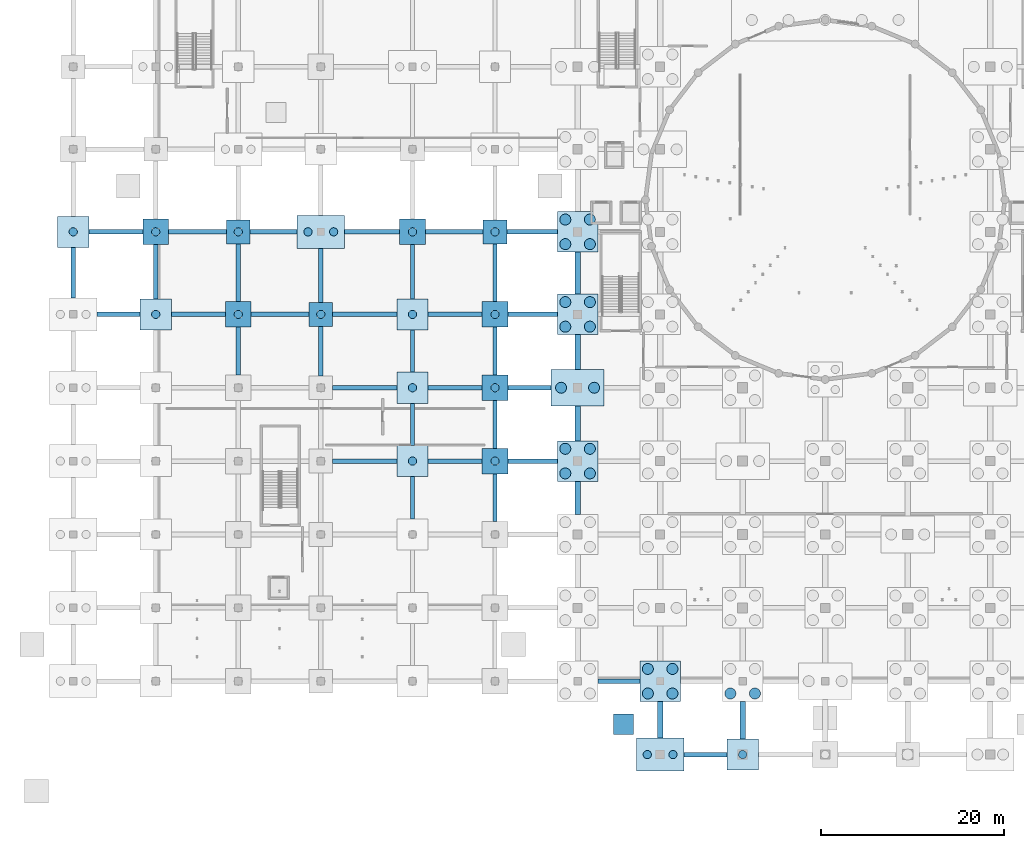
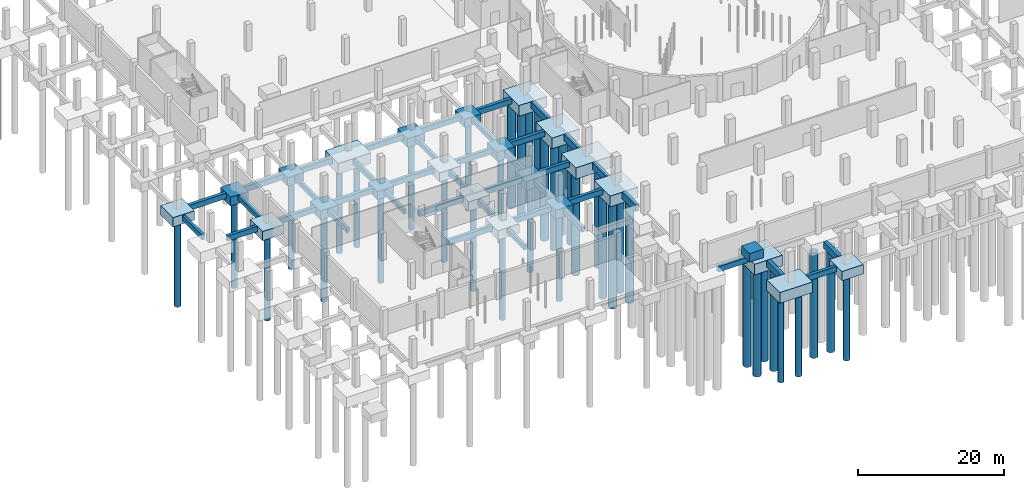
# One storey, part 2 of 40: 63 footings, 39 piles.
"""IFC4 building model written with IfcOpenShell, lengths in metres."""

from ifc_helpers import new_model, si_unit, direction, frame, origin, origin_2d, place, context, subcontext, project, spatial, rectangle, circle, extrude, material, layer, layer_set, material_profile, profile_set, type_object, element, save


model = new_model("IFC4")

# Units and contexts
model_context = context("Model", 3, precision=1e-05, world=origin(), true_north=direction((0.0, 1.0)))
body_context = subcontext(model_context, "Body", "Model", "MODEL_VIEW")
ifc_project = project(units=[si_unit("LENGTHUNIT", "METRE"), si_unit("AREAUNIT", "SQUARE_METRE"), si_unit("VOLUMEUNIT", "CUBIC_METRE"), si_unit("PLANEANGLEUNIT", "RADIAN"), si_unit("MASSUNIT", "GRAM", prefix="KILO")], contexts=[model_context])

# Site, building, storey
site_placement = place(None, origin())
site = spatial("IfcSite", under=ifc_project, at=site_placement, CompositionType="ELEMENT")
building_placement = place(site_placement, origin())
building = spatial("IfcBuilding", under=site, at=building_placement, Name="Marnock Terrace Opera House", CompositionType="ELEMENT")
storey_placement = place(building_placement, frame((0.0, 0.0, -4.800048828125)))
storey = spatial("IfcBuildingStorey", under=building, at=storey_placement, Name="B1", CompositionType="ELEMENT", Elevation=-4.800048828125)

# Footings
ifc_material = material(Name="Concrete N40 (f'c = 40 MPa)", Category="concrete")
ifc_layer_1 = layer(ifc_material, 1.39990234375)
ifc_layer_set_1 = layer_set([ifc_layer_1], Name="Concrete N40 (f'c = 40 MPa)")
footing_type_1 = type_object("IfcFootingType", Name="FT-CAP-2600", PredefinedType="PILE_CAP", material=ifc_layer_set_1)
for number, where, z_axis, x_axis, name in (
    (1, (18.0, 57.0, -1.7998046875), (0.0, 0.0, 1.0), (1.0, 0.0, 0.0), "Pile cap FT-CAP-033"),
    (2, (27.0, 48.0, -1.7998046875), (0.0, 0.0, 1.0), (1.0, 0.0, 0.0), "Pile cap FT-CAP-045"),
    (3, (46.0, 57.0, -1.7998046875), (0.0, 0.0, 1.0), (1.0, 0.0, 0.0), "Pile cap FT-CAP-070"),
):
    element("IfcFooting", number, at=place(storey_placement, frame(where, z_axis=z_axis, x_axis=x_axis)), inside=storey, type_object=footing_type_1, Name=name, PredefinedType="PILE_CAP", context=body_context, shape_type="SweptSolid", body=[
        extrude(rectangle(XDim=2.60009765625, YDim=2.60009765625, at=origin_2d()), origin(), (0.0, 0.0, 1.0), 1.39990234375),
    ])
ifc_layer_2 = layer(ifc_material, 1.5)
ifc_layer_set_2 = layer_set([ifc_layer_2], Name="Concrete N40 (f'c = 40 MPa)")
footing_type_2 = type_object("IfcFootingType", Name="FT-CAP-2800", PredefinedType="PILE_CAP", material=ifc_layer_set_2)
for number, where, z_axis, x_axis, name in (
    (4, (9.0, 57.0, -1.89990234375), (0.0, 0.0, 1.0), (1.0, 0.0, 0.0), "Pile cap FT-CAP-020"),
    (5, (18.0, 48.0, -1.89990234375), (0.0, 0.0, 1.0), (1.0, 0.0, 0.0), "Pile cap FT-CAP-032"),
    (6, (37.0, 57.0, -1.89990234375), (0.0, 0.0, 1.0), (1.0, 0.0, 0.0), "Pile cap FT-CAP-058"),
    (7, (46.0, 32.0, -1.89990234375), (0.0, 0.0, 1.0), (1.0, 0.0, 0.0), "Pile cap FT-CAP-067"),
    (8, (46.0, 40.0, -1.89990234375), (0.0, 0.0, 1.0), (1.0, 0.0, 0.0), "Pile cap FT-CAP-068"),
    (9, (46.0, 48.0, -1.89990234375), (0.0, 0.0, 1.0), (1.0, 0.0, 0.0), "Pile cap FT-CAP-069"),
):
    element("IfcFooting", number, at=place(storey_placement, frame(where, z_axis=z_axis, x_axis=x_axis)), inside=storey, type_object=footing_type_2, Name=name, PredefinedType="PILE_CAP", context=body_context, shape_type="SweptSolid", body=[
        extrude(rectangle(XDim=2.800048828125, YDim=2.800048828125, at=origin_2d()), origin(), (0.0, 0.0, 1.0), 1.5),
    ])
ifc_layer_3 = layer(ifc_material, 1.550048828125)
ifc_layer_set_3 = layer_set([ifc_layer_3], Name="Concrete N40 (f'c = 40 MPa)")
footing_type_3 = type_object("IfcFootingType", Name="FT-CAP-3400", PredefinedType="PILE_CAP", material=ifc_layer_set_3)
for number, where, z_axis, x_axis, name in (
    (10, (0.0, 57.0, -1.9501953125), (0.0, 0.0, 1.0), (1.0, 0.0, 0.0), "Pile cap FT-CAP-007"),
    (11, (9.0, 48.0, -1.9501953125), (0.0, 0.0, 1.0), (1.0, 0.0, 0.0), "Pile cap FT-CAP-019"),
    (12, (37.0, 32.0, -1.9501953125), (0.0, 0.0, 1.0), (1.0, 0.0, 0.0), "Pile cap FT-CAP-055"),
    (13, (37.0, 40.0, -1.9501953125), (0.0, 0.0, 1.0), (1.0, 0.0, 0.0), "Pile cap FT-CAP-056"),
    (14, (37.0, 48.0, -1.9501953125), (0.0, 0.0, 1.0), (1.0, 0.0, 0.0), "Pile cap FT-CAP-057"),
    (15, (73.0, 0.0, -1.9501953125), (0.0, 0.0, 1.0), (1.0, 0.0, 0.0), "Pile cap FT-CAP-103"),
):
    element("IfcFooting", number, at=place(storey_placement, frame(where, z_axis=z_axis, x_axis=x_axis)), inside=storey, type_object=footing_type_3, Name=name, PredefinedType="PILE_CAP", context=body_context, shape_type="SweptSolid", body=[
        extrude(rectangle(XDim=3.39990234375, YDim=3.39990234375, at=origin_2d()), origin(), (0.0, 0.0, 1.0), 1.550048828125),
    ])
ifc_layer_4 = layer(ifc_material, 1.800048828125)
ifc_layer_set_4 = layer_set([ifc_layer_4], Name="Concrete N40 (f'c = 40 MPa)")
footing_type_4 = type_object("IfcFootingType", Name="FT-CAP-4400", PredefinedType="PILE_CAP", material=ifc_layer_set_4)
for number, where, z_axis, x_axis, name in (
    (16, (55.0, 32.0, -2.2001953125), (0.0, 0.0, 1.0), (1.0, 0.0, 0.0), "Pile cap FT-CAP-080"),
    (17, (55.0, 48.0, -2.2001953125), (0.0, 0.0, 1.0), (1.0, 0.0, 0.0), "Pile cap FT-CAP-082"),
    (18, (55.0, 57.0, -2.2001953125), (0.0, 0.0, 1.0), (1.0, 0.0, 0.0), "Pile cap FT-CAP-083"),
    (19, (64.0, 8.0, -2.2001953125), (0.0, 0.0, 1.0), (1.0, 0.0, 0.0), "Pile cap FT-CAP-091"),
):
    element("IfcFooting", number, at=place(storey_placement, frame(where, z_axis=z_axis, x_axis=x_axis)), inside=storey, type_object=footing_type_4, Name=name, PredefinedType="PILE_CAP", context=body_context, shape_type="SweptSolid", body=[
        extrude(rectangle(XDim=4.39990234375, YDim=4.39990234375, at=origin_2d()), origin(), (0.0, 0.0, 1.0), 1.800048828125),
    ])
ifc_layer_5 = layer(ifc_material, 1.800048828125)
ifc_layer_set_5 = layer_set([ifc_layer_5], Name="Concrete N40 (f'c = 40 MPa)")
footing_type_5 = type_object("IfcFootingType", Name="FT-CAP-5200", PredefinedType="PILE_CAP", material=ifc_layer_set_5)
for number, where, z_axis, x_axis, name in (
    (20, (27.0, 57.0, -2.2001953125), (0.0, 0.0, 1.0), (1.0, 0.0, 0.0), "Pile cap FT-CAP-046"),
    (21, (64.0, 0.0, -2.2001953125), (0.0, 0.0, 1.0), (1.0, 0.0, 0.0), "Pile cap FT-CAP-090"),
):
    element("IfcFooting", number, at=place(storey_placement, frame(where, z_axis=z_axis, x_axis=x_axis)), inside=storey, type_object=footing_type_5, Name=name, PredefinedType="PILE_CAP", context=body_context, shape_type="SweptSolid", body=[
        extrude(rectangle(XDim=5.199951171875, YDim=3.60009765625, at=origin_2d()), origin(), (0.0, 0.0, 1.0), 1.800048828125),
    ])
ifc_layer_6 = layer(ifc_material, 1.89990234375)
ifc_layer_set_6 = layer_set([ifc_layer_6], Name="Concrete N40 (f'c = 40 MPa)")
footing_type_6 = type_object("IfcFootingType", Name="FT-CAP-5800", PredefinedType="PILE_CAP", material=ifc_layer_set_6)
footing_1_placement = place(storey_placement, frame((55.0, 40.0, -2.2998046875), z_axis=(0.0, 0.0, 1.0), x_axis=(1.0, 0.0, 0.0)))
element("IfcFooting", 22, at=footing_1_placement, inside=storey, type_object=footing_type_6, Name="Pile cap FT-CAP-081", PredefinedType="PILE_CAP", context=body_context, shape_type="SweptSolid", body=[
    extrude(rectangle(XDim=5.800048828125, YDim=4.0, at=origin_2d()), origin(), (0.0, 0.0, 1.0), 1.89990234375),
])
ifc_material_profile_1 = material_profile(ifc_material, rectangle(XDim=0.449951171875, YDim=0.800048828125, at=origin_2d()))
ifc_profile_set_1 = profile_set([ifc_material_profile_1], Name="Concrete N40 (f'c = 40 MPa)")
footing_type_7 = type_object("IfcFootingType", Name="FT-GB-450", PredefinedType="FOOTING_BEAM", material=ifc_profile_set_1)
footing_2_placement = place(storey_placement, frame((0.0, 49.800048828125, -0.949951171875), z_axis=(0.0, 1.0, 0.0), x_axis=(-1.0, 0.0, 0.0)))
element("IfcFooting", 23, at=footing_2_placement, inside=storey, type_object=footing_type_7, Name="Ground tie beam Y-6", PredefinedType="FOOTING_BEAM", context=body_context, shape_type="SweptSolid", body=[
    extrude(rectangle(XDim=0.449951171875, YDim=0.800048828125, at=origin_2d()), origin(), (0.0, 0.0, 1.0), 5.5),
])
footing_3_placement = place(storey_placement, frame((9.0, 49.699951171875, -0.949951171875), z_axis=(0.0, 1.0, 0.0), x_axis=(-1.0, 0.0, 0.0)))
element("IfcFooting", 24, at=footing_3_placement, inside=storey, type_object=footing_type_7, Name="Ground tie beam Y-18", PredefinedType="FOOTING_BEAM", context=body_context, shape_type="SweptSolid", body=[
    extrude(rectangle(XDim=0.449951171875, YDim=0.800048828125, at=origin_2d()), origin(), (0.0, 0.0, 1.0), 5.900146484375),
])
footing_4_placement = place(storey_placement, frame((18.0, 41.39990234375, -0.949951171875), z_axis=(0.0, 1.0, 0.0), x_axis=(-1.0, 0.0, 0.0)))
element("IfcFooting", 25, at=footing_4_placement, inside=storey, type_object=footing_type_7, Name="Ground tie beam Y-29", PredefinedType="FOOTING_BEAM", context=body_context, shape_type="SweptSolid", body=[
    extrude(rectangle(XDim=0.449951171875, YDim=0.800048828125, at=origin_2d()), origin(), (0.0, 0.0, 1.0), 5.2001953125),
])
footing_5_placement = place(storey_placement, frame((18.0, 49.39990234375, -0.949951171875), z_axis=(0.0, 1.0, 0.0), x_axis=(-1.0, 0.0, 0.0)))
element("IfcFooting", 26, at=footing_5_placement, inside=storey, type_object=footing_type_7, Name="Ground tie beam Y-30", PredefinedType="FOOTING_BEAM", context=body_context, shape_type="SweptSolid", body=[
    extrude(rectangle(XDim=0.449951171875, YDim=0.800048828125, at=origin_2d()), origin(), (0.0, 0.0, 1.0), 6.300048828125),
])
footing_6_placement = place(storey_placement, frame((27.0, 41.300048828125, -0.949951171875), z_axis=(0.0, 1.0, 0.0), x_axis=(-1.0, 0.0, 0.0)))
element("IfcFooting", 27, at=footing_6_placement, inside=storey, type_object=footing_type_7, Name="Ground tie beam Y-41", PredefinedType="FOOTING_BEAM", context=body_context, shape_type="SweptSolid", body=[
    extrude(rectangle(XDim=0.449951171875, YDim=0.800048828125, at=origin_2d()), origin(), (0.0, 0.0, 1.0), 5.39990234375),
])
footing_7_placement = place(storey_placement, frame((27.0, 49.300048828125, -0.949951171875), z_axis=(0.0, 1.0, 0.0), x_axis=(-1.0, 0.0, 0.0)))
element("IfcFooting", 28, at=footing_7_placement, inside=storey, type_object=footing_type_7, Name="Ground tie beam Y-42", PredefinedType="FOOTING_BEAM", context=body_context, shape_type="SweptSolid", body=[
    extrude(rectangle(XDim=0.449951171875, YDim=0.800048828125, at=origin_2d()), origin(), (0.0, 0.0, 1.0), 5.89990234375),
])
for number, where, z_axis, x_axis, name in (
    (29, (37.0, 25.699951171875, -0.949951171875), (0.0, 1.0, 0.0), (-1.0, 0.0, 0.0), "Ground tie beam Y-49"),
    (30, (37.0, 33.699951171875, -0.949951171875), (0.0, 1.0, 0.0), (-1.0, 0.0, 0.0), "Ground tie beam Y-50"),
    (31, (37.0, 41.699951171875, -0.949951171875), (0.0, 1.0, 0.0), (-1.0, 0.0, 0.0), "Ground tie beam Y-51"),
):
    element("IfcFooting", number, at=place(storey_placement, frame(where, z_axis=z_axis, x_axis=x_axis)), inside=storey, type_object=footing_type_7, Name=name, PredefinedType="FOOTING_BEAM", context=body_context, shape_type="SweptSolid", body=[
        extrude(rectangle(XDim=0.449951171875, YDim=0.800048828125, at=origin_2d()), origin(), (0.0, 0.0, 1.0), 4.60009765625),
    ])
footing_8_placement = place(storey_placement, frame((37.0, 49.699951171875, -0.949951171875), z_axis=(0.0, 1.0, 0.0), x_axis=(-1.0, 0.0, 0.0)))
element("IfcFooting", 32, at=footing_8_placement, inside=storey, type_object=footing_type_7, Name="Ground tie beam Y-52", PredefinedType="FOOTING_BEAM", context=body_context, shape_type="SweptSolid", body=[
    extrude(rectangle(XDim=0.449951171875, YDim=0.800048828125, at=origin_2d()), origin(), (0.0, 0.0, 1.0), 5.900146484375),
])
for number, where, z_axis, x_axis, name in (
    (33, (46.0, 25.39990234375, -0.949951171875), (0.0, 1.0, 0.0), (-1.0, 0.0, 0.0), "Ground tie beam Y-59"),
    (34, (46.0, 33.39990234375, -0.949951171875), (0.0, 1.0, 0.0), (-1.0, 0.0, 0.0), "Ground tie beam Y-60"),
    (35, (46.0, 41.39990234375, -0.949951171875), (0.0, 1.0, 0.0), (-1.0, 0.0, 0.0), "Ground tie beam Y-61"),
):
    element("IfcFooting", number, at=place(storey_placement, frame(where, z_axis=z_axis, x_axis=x_axis)), inside=storey, type_object=footing_type_7, Name=name, PredefinedType="FOOTING_BEAM", context=body_context, shape_type="SweptSolid", body=[
        extrude(rectangle(XDim=0.449951171875, YDim=0.800048828125, at=origin_2d()), origin(), (0.0, 0.0, 1.0), 5.2001953125),
    ])
footing_9_placement = place(storey_placement, frame((46.0, 49.39990234375, -0.949951171875), z_axis=(0.0, 1.0, 0.0), x_axis=(-1.0, 0.0, 0.0)))
element("IfcFooting", 36, at=footing_9_placement, inside=storey, type_object=footing_type_7, Name="Ground tie beam Y-62", PredefinedType="FOOTING_BEAM", context=body_context, shape_type="SweptSolid", body=[
    extrude(rectangle(XDim=0.449951171875, YDim=0.800048828125, at=origin_2d()), origin(), (0.0, 0.0, 1.0), 6.300048828125),
])
ifc_material_profile_2 = material_profile(ifc_material, rectangle(XDim=0.5, YDim=0.89990234375, at=origin_2d()))
ifc_profile_set_2 = profile_set([ifc_material_profile_2], Name="Concrete N40 (f'c = 40 MPa)")
footing_type_8 = type_object("IfcFootingType", Name="FT-GB-500", PredefinedType="FOOTING_BEAM", material=ifc_profile_set_2)
footing_10_placement = place(storey_placement, frame((66.60009765625, 0.0, -0.849853515625), z_axis=(1.0, 0.0, 0.0), x_axis=(0.0, 1.0, 0.0)))
element("IfcFooting", 37, at=footing_10_placement, inside=storey, type_object=footing_type_8, Name="Ground tie beam X-193", PredefinedType="FOOTING_BEAM", context=body_context, shape_type="SweptSolid", body=[
    extrude(rectangle(XDim=0.5, YDim=0.89990234375, at=origin_2d()), origin(), (0.0, 0.0, 1.0), 4.699951171875),
])
footing_11_placement = place(storey_placement, frame((57.199951171875, 8.0, -0.849853515625), z_axis=(1.0, 0.0, 0.0), x_axis=(0.0, 1.0, 0.0)))
element("IfcFooting", 38, at=footing_11_placement, inside=storey, type_object=footing_type_8, Name="Ground tie beam X-203", PredefinedType="FOOTING_BEAM", context=body_context, shape_type="SweptSolid", body=[
    extrude(rectangle(XDim=0.5, YDim=0.89990234375, at=origin_2d()), origin(), (0.0, 0.0, 1.0), 4.60009765625),
])
footing_12_placement = place(storey_placement, frame((28.300048828125, 32.0, -0.849853515625), z_axis=(1.0, 0.0, 0.0), x_axis=(0.0, 1.0, 0.0)))
element("IfcFooting", 39, at=footing_12_placement, inside=storey, type_object=footing_type_8, Name="Ground tie beam X-254", PredefinedType="FOOTING_BEAM", context=body_context, shape_type="SweptSolid", body=[
    extrude(rectangle(XDim=0.5, YDim=0.89990234375, at=origin_2d()), origin(), (0.0, 0.0, 1.0), 7.0),
])
footing_13_placement = place(storey_placement, frame((38.699951171875, 32.0, -0.849853515625), z_axis=(1.0, 0.0, 0.0), x_axis=(0.0, 1.0, 0.0)))
element("IfcFooting", 40, at=footing_13_placement, inside=storey, type_object=footing_type_8, Name="Ground tie beam X-255", PredefinedType="FOOTING_BEAM", context=body_context, shape_type="SweptSolid", body=[
    extrude(rectangle(XDim=0.5, YDim=0.89990234375, at=origin_2d()), origin(), (0.0, 0.0, 1.0), 5.900146484375),
])
footing_14_placement = place(storey_placement, frame((47.39990234375, 32.0, -0.849853515625), z_axis=(1.0, 0.0, 0.0), x_axis=(0.0, 1.0, 0.0)))
element("IfcFooting", 41, at=footing_14_placement, inside=storey, type_object=footing_type_8, Name="Ground tie beam X-256", PredefinedType="FOOTING_BEAM", context=body_context, shape_type="SweptSolid", body=[
    extrude(rectangle(XDim=0.5, YDim=0.89990234375, at=origin_2d()), origin(), (0.0, 0.0, 1.0), 5.400146484375),
])
footing_15_placement = place(storey_placement, frame((28.300048828125, 40.0, -0.849853515625), z_axis=(1.0, 0.0, 0.0), x_axis=(0.0, 1.0, 0.0)))
element("IfcFooting", 42, at=footing_15_placement, inside=storey, type_object=footing_type_8, Name="Ground tie beam X-272", PredefinedType="FOOTING_BEAM", context=body_context, shape_type="SweptSolid", body=[
    extrude(rectangle(XDim=0.5, YDim=0.89990234375, at=origin_2d()), origin(), (0.0, 0.0, 1.0), 7.0),
])
footing_16_placement = place(storey_placement, frame((38.699951171875, 40.0, -0.849853515625), z_axis=(1.0, 0.0, 0.0), x_axis=(0.0, 1.0, 0.0)))
element("IfcFooting", 43, at=footing_16_placement, inside=storey, type_object=footing_type_8, Name="Ground tie beam X-273", PredefinedType="FOOTING_BEAM", context=body_context, shape_type="SweptSolid", body=[
    extrude(rectangle(XDim=0.5, YDim=0.89990234375, at=origin_2d()), origin(), (0.0, 0.0, 1.0), 5.900146484375),
])
footing_17_placement = place(storey_placement, frame((47.39990234375, 40.0, -0.849853515625), z_axis=(1.0, 0.0, 0.0), x_axis=(0.0, 1.0, 0.0)))
element("IfcFooting", 44, at=footing_17_placement, inside=storey, type_object=footing_type_8, Name="Ground tie beam X-274", PredefinedType="FOOTING_BEAM", context=body_context, shape_type="SweptSolid", body=[
    extrude(rectangle(XDim=0.5, YDim=0.89990234375, at=origin_2d()), origin(), (0.0, 0.0, 1.0), 4.7001953125),
])
footing_18_placement = place(storey_placement, frame((2.60009765625, 48.0, -0.849853515625), z_axis=(1.0, 0.0, 0.0), x_axis=(0.0, 1.0, 0.0)))
element("IfcFooting", 45, at=footing_18_placement, inside=storey, type_object=footing_type_8, Name="Ground tie beam X-285", PredefinedType="FOOTING_BEAM", context=body_context, shape_type="SweptSolid", body=[
    extrude(rectangle(XDim=0.5, YDim=0.89990234375, at=origin_2d()), origin(), (0.0, 0.0, 1.0), 4.699951171875),
])
footing_19_placement = place(storey_placement, frame((10.699951171875, 48.0, -0.849853515625), z_axis=(1.0, 0.0, 0.0), x_axis=(0.0, 1.0, 0.0)))
element("IfcFooting", 46, at=footing_19_placement, inside=storey, type_object=footing_type_8, Name="Ground tie beam X-286", PredefinedType="FOOTING_BEAM", context=body_context, shape_type="SweptSolid", body=[
    extrude(rectangle(XDim=0.5, YDim=0.89990234375, at=origin_2d()), origin(), (0.0, 0.0, 1.0), 5.900146484375),
])
footing_20_placement = place(storey_placement, frame((19.39990234375, 48.0, -0.849853515625), z_axis=(1.0, 0.0, 0.0), x_axis=(0.0, 1.0, 0.0)))
element("IfcFooting", 47, at=footing_20_placement, inside=storey, type_object=footing_type_8, Name="Ground tie beam X-287", PredefinedType="FOOTING_BEAM", context=body_context, shape_type="SweptSolid", body=[
    extrude(rectangle(XDim=0.5, YDim=0.89990234375, at=origin_2d()), origin(), (0.0, 0.0, 1.0), 6.300048828125),
])
footing_21_placement = place(storey_placement, frame((28.300048828125, 48.0, -0.849853515625), z_axis=(1.0, 0.0, 0.0), x_axis=(0.0, 1.0, 0.0)))
element("IfcFooting", 48, at=footing_21_placement, inside=storey, type_object=footing_type_8, Name="Ground tie beam X-288", PredefinedType="FOOTING_BEAM", context=body_context, shape_type="SweptSolid", body=[
    extrude(rectangle(XDim=0.5, YDim=0.89990234375, at=origin_2d()), origin(), (0.0, 0.0, 1.0), 7.0),
])
footing_22_placement = place(storey_placement, frame((38.699951171875, 48.0, -0.849853515625), z_axis=(1.0, 0.0, 0.0), x_axis=(0.0, 1.0, 0.0)))
element("IfcFooting", 49, at=footing_22_placement, inside=storey, type_object=footing_type_8, Name="Ground tie beam X-289", PredefinedType="FOOTING_BEAM", context=body_context, shape_type="SweptSolid", body=[
    extrude(rectangle(XDim=0.5, YDim=0.89990234375, at=origin_2d()), origin(), (0.0, 0.0, 1.0), 5.900146484375),
])
footing_23_placement = place(storey_placement, frame((47.39990234375, 48.0, -0.849853515625), z_axis=(1.0, 0.0, 0.0), x_axis=(0.0, 1.0, 0.0)))
element("IfcFooting", 50, at=footing_23_placement, inside=storey, type_object=footing_type_8, Name="Ground tie beam X-290", PredefinedType="FOOTING_BEAM", context=body_context, shape_type="SweptSolid", body=[
    extrude(rectangle(XDim=0.5, YDim=0.89990234375, at=origin_2d()), origin(), (0.0, 0.0, 1.0), 5.400146484375),
])
footing_24_placement = place(storey_placement, frame((1.699951171875, 57.0, -0.849853515625), z_axis=(1.0, 0.0, 0.0), x_axis=(0.0, 1.0, 0.0)))
element("IfcFooting", 51, at=footing_24_placement, inside=storey, type_object=footing_type_8, Name="Ground tie beam X-297", PredefinedType="FOOTING_BEAM", context=body_context, shape_type="SweptSolid", body=[
    extrude(rectangle(XDim=0.5, YDim=0.89990234375, at=origin_2d()), origin(), (0.0, 0.0, 1.0), 5.900146484375),
])
footing_25_placement = place(storey_placement, frame((10.39990234375, 57.0, -0.849853515625), z_axis=(1.0, 0.0, 0.0), x_axis=(0.0, 1.0, 0.0)))
element("IfcFooting", 52, at=footing_25_placement, inside=storey, type_object=footing_type_8, Name="Ground tie beam X-298", PredefinedType="FOOTING_BEAM", context=body_context, shape_type="SweptSolid", body=[
    extrude(rectangle(XDim=0.5, YDim=0.89990234375, at=origin_2d()), origin(), (0.0, 0.0, 1.0), 6.300048828125),
])
footing_26_placement = place(storey_placement, frame((19.300048828125, 57.0, -0.849853515625), z_axis=(1.0, 0.0, 0.0), x_axis=(0.0, 1.0, 0.0)))
element("IfcFooting", 53, at=footing_26_placement, inside=storey, type_object=footing_type_8, Name="Ground tie beam X-299", PredefinedType="FOOTING_BEAM", context=body_context, shape_type="SweptSolid", body=[
    extrude(rectangle(XDim=0.5, YDim=0.89990234375, at=origin_2d()), origin(), (0.0, 0.0, 1.0), 5.099853515625),
])
footing_27_placement = place(storey_placement, frame((29.60009765625, 57.0, -0.849853515625), z_axis=(1.0, 0.0, 0.0), x_axis=(0.0, 1.0, 0.0)))
element("IfcFooting", 54, at=footing_27_placement, inside=storey, type_object=footing_type_8, Name="Ground tie beam X-300", PredefinedType="FOOTING_BEAM", context=body_context, shape_type="SweptSolid", body=[
    extrude(rectangle(XDim=0.5, YDim=0.89990234375, at=origin_2d()), origin(), (0.0, 0.0, 1.0), 6.0),
])
footing_28_placement = place(storey_placement, frame((38.39990234375, 57.0, -0.849853515625), z_axis=(1.0, 0.0, 0.0), x_axis=(0.0, 1.0, 0.0)))
element("IfcFooting", 55, at=footing_28_placement, inside=storey, type_object=footing_type_8, Name="Ground tie beam X-301", PredefinedType="FOOTING_BEAM", context=body_context, shape_type="SweptSolid", body=[
    extrude(rectangle(XDim=0.5, YDim=0.89990234375, at=origin_2d()), origin(), (0.0, 0.0, 1.0), 6.300048828125),
])
footing_29_placement = place(storey_placement, frame((47.300048828125, 57.0, -0.849853515625), z_axis=(1.0, 0.0, 0.0), x_axis=(0.0, 1.0, 0.0)))
element("IfcFooting", 56, at=footing_29_placement, inside=storey, type_object=footing_type_8, Name="Ground tie beam X-302", PredefinedType="FOOTING_BEAM", context=body_context, shape_type="SweptSolid", body=[
    extrude(rectangle(XDim=0.5, YDim=0.89990234375, at=origin_2d()), origin(), (0.0, 0.0, 1.0), 5.5),
])
ifc_material_profile_3 = material_profile(ifc_material, rectangle(XDim=0.60009765625, YDim=1.10009765625, at=origin_2d()))
ifc_profile_set_3 = profile_set([ifc_material_profile_3], Name="Concrete N40 (f'c = 40 MPa)")
footing_type_9 = type_object("IfcFootingType", Name="FT-GB-600", PredefinedType="FOOTING_BEAM", material=ifc_profile_set_3)
footing_30_placement = place(storey_placement, frame((55.0, 26.199951171875, -0.949951171875), z_axis=(0.0, 1.0, 0.0), x_axis=(-1.0, 0.0, 0.0)))
element("IfcFooting", 57, at=footing_30_placement, inside=storey, type_object=footing_type_9, Name="Ground tie beam Y-71", PredefinedType="FOOTING_BEAM", context=body_context, shape_type="SweptSolid", body=[
    extrude(rectangle(XDim=0.60009765625, YDim=1.10009765625, at=origin_2d()), origin(), (0.0, 0.0, 1.0), 3.60009765625),
])
for number, where, z_axis, x_axis, name in (
    (58, (55.0, 34.199951171875, -0.949951171875), (0.0, 1.0, 0.0), (-1.0, 0.0, 0.0), "Ground tie beam Y-72"),
    (59, (55.0, 42.0, -0.949951171875), (0.0, 1.0, 0.0), (-1.0, 0.0, 0.0), "Ground tie beam Y-73"),
):
    element("IfcFooting", number, at=place(storey_placement, frame(where, z_axis=z_axis, x_axis=x_axis)), inside=storey, type_object=footing_type_9, Name=name, PredefinedType="FOOTING_BEAM", context=body_context, shape_type="SweptSolid", body=[
        extrude(rectangle(XDim=0.60009765625, YDim=1.10009765625, at=origin_2d()), origin(), (0.0, 0.0, 1.0), 3.800048828125),
    ])
footing_31_placement = place(storey_placement, frame((55.0, 50.199951171875, -0.949951171875), z_axis=(0.0, 1.0, 0.0), x_axis=(-1.0, 0.0, 0.0)))
element("IfcFooting", 60, at=footing_31_placement, inside=storey, type_object=footing_type_9, Name="Ground tie beam Y-74", PredefinedType="FOOTING_BEAM", context=body_context, shape_type="SweptSolid", body=[
    extrude(rectangle(XDim=0.60009765625, YDim=1.10009765625, at=origin_2d()), origin(), (0.0, 0.0, 1.0), 4.60009765625),
])
footing_32_placement = place(storey_placement, frame((64.0, 1.800048828125, -0.949951171875), z_axis=(0.0, 1.0, 0.0), x_axis=(-1.0, 0.0, 0.0)))
element("IfcFooting", 61, at=footing_32_placement, inside=storey, type_object=footing_type_9, Name="Ground tie beam Y-81", PredefinedType="FOOTING_BEAM", context=body_context, shape_type="SweptSolid", body=[
    extrude(rectangle(XDim=0.60009765625, YDim=1.10009765625, at=origin_2d()), origin(), (0.0, 0.0, 1.0), 4.0),
])
footing_33_placement = place(storey_placement, frame((73.0, 1.699951171875, -0.949951171875), z_axis=(0.0, 1.0, 0.0), x_axis=(-1.0, 0.0, 0.0)))
element("IfcFooting", 62, at=footing_33_placement, inside=storey, type_object=footing_type_9, Name="Ground tie beam Y-92", PredefinedType="FOOTING_BEAM", context=body_context, shape_type="SweptSolid", body=[
    extrude(rectangle(XDim=0.60009765625, YDim=1.10009765625, at=origin_2d()), origin(), (0.0, 0.0, 1.0), 4.10009765625),
])
ifc_layer_7 = layer(ifc_material, 1.39990234375)
ifc_layer_set_7 = layer_set([ifc_layer_7], Name="Concrete N40 (f'c = 40 MPa)")
footing_type_10 = type_object("IfcFootingType", Name="FT-PAD-2200", PredefinedType="PAD_FOOTING", material=ifc_layer_set_7)
footing_34_placement = place(storey_placement, frame((60.0, 3.300048828125, 3.16015625), z_axis=(0.0, 0.0, 1.0), x_axis=(1.0, 0.0, 0.0)))
element("IfcFooting", 63, at=footing_34_placement, inside=storey, type_object=footing_type_10, Name="Grade ramp foundation RMP-FORE-W", PredefinedType="PAD_FOOTING", context=body_context, shape_type="SweptSolid", body=[
    extrude(rectangle(XDim=2.199951171875, YDim=2.199951171875, at=origin_2d()), origin(), (0.0, 0.0, 1.0), 1.39990234375),
])

# Piles
ifc_material_profile_4 = material_profile(ifc_material, circle(Radius=0.6005859375, at=origin_2d()))
ifc_profile_set_4 = profile_set([ifc_material_profile_4], Name="Concrete N40 (f'c = 40 MPa)")
pile_type_1 = type_object("IfcPileType", Name="PILE-CFA-1200", PredefinedType="BORED", material=ifc_profile_set_4)
for number, where, z_axis, x_axis, name in (
    (64, (53.659912109375, 30.659912109375, -2.099853515625), (0.0, 0.0, -1.0), (1.0, 0.0, 0.0), "Bored CFA pile 80.1"),
    (65, (56.340087890625, 30.659912109375, -2.099853515625), (0.0, 0.0, -1.0), (1.0, 0.0, 0.0), "Bored CFA pile 80.2"),
    (66, (53.659912109375, 33.340087890625, -2.099853515625), (0.0, 0.0, -1.0), (1.0, 0.0, 0.0), "Bored CFA pile 80.3"),
    (67, (56.340087890625, 33.340087890625, -2.099853515625), (0.0, 0.0, -1.0), (1.0, 0.0, 0.0), "Bored CFA pile 80.4"),
):
    element("IfcPile", number, at=place(storey_placement, frame(where, z_axis=z_axis, x_axis=x_axis)), inside=storey, type_object=pile_type_1, Name=name, PredefinedType="BORED", context=body_context, shape_type="SweptSolid", body=[
        extrude(circle(Radius=0.6005859375, at=origin_2d()), origin(), (0.0, 0.0, 1.0), 17.60009765625),
    ])
for number, where, z_axis, x_axis, name in (
    (68, (53.199951171875, 40.0, -2.199951171875), (0.0, 0.0, -1.0), (1.0, 0.0, 0.0), "Bored CFA pile 81.1"),
    (69, (56.800048828125, 40.0, -2.199951171875), (0.0, 0.0, -1.0), (1.0, 0.0, 0.0), "Bored CFA pile 81.2"),
):
    element("IfcPile", number, at=place(storey_placement, frame(where, z_axis=z_axis, x_axis=x_axis)), inside=storey, type_object=pile_type_1, Name=name, PredefinedType="BORED", context=body_context, shape_type="SweptSolid", body=[
        extrude(circle(Radius=0.6005859375, at=origin_2d()), origin(), (0.0, 0.0, 1.0), 17.5),
    ])
for number, where, z_axis, x_axis, name in (
    (70, (53.659912109375, 46.659912109375, -2.099853515625), (0.0, 0.0, -1.0), (1.0, 0.0, 0.0), "Bored CFA pile 82.1"),
    (71, (56.340087890625, 46.659912109375, -2.099853515625), (0.0, 0.0, -1.0), (1.0, 0.0, 0.0), "Bored CFA pile 82.2"),
    (72, (53.659912109375, 49.340087890625, -2.099853515625), (0.0, 0.0, -1.0), (1.0, 0.0, 0.0), "Bored CFA pile 82.3"),
    (73, (56.340087890625, 49.340087890625, -2.099853515625), (0.0, 0.0, -1.0), (1.0, 0.0, 0.0), "Bored CFA pile 82.4"),
    (74, (53.659912109375, 55.659912109375, -2.099853515625), (0.0, 0.0, -1.0), (1.0, 0.0, 0.0), "Bored CFA pile 83.1"),
    (75, (56.340087890625, 55.659912109375, -2.099853515625), (0.0, 0.0, -1.0), (1.0, 0.0, 0.0), "Bored CFA pile 83.2"),
    (76, (53.659912109375, 58.340087890625, -2.099853515625), (0.0, 0.0, -1.0), (1.0, 0.0, 0.0), "Bored CFA pile 83.3"),
    (77, (56.340087890625, 58.340087890625, -2.099853515625), (0.0, 0.0, -1.0), (1.0, 0.0, 0.0), "Bored CFA pile 83.4"),
    (78, (62.659912109375, 6.659912109375, -2.099853515625), (0.0, 0.0, -1.0), (1.0, 0.0, 0.0), "Bored CFA pile 91.1"),
    (79, (65.340087890625, 6.659912109375, -2.099853515625), (0.0, 0.0, -1.0), (1.0, 0.0, 0.0), "Bored CFA pile 91.2"),
    (80, (62.659912109375, 9.340087890625, -2.099853515625), (0.0, 0.0, -1.0), (1.0, 0.0, 0.0), "Bored CFA pile 91.3"),
    (81, (65.340087890625, 9.340087890625, -2.099853515625), (0.0, 0.0, -1.0), (1.0, 0.0, 0.0), "Bored CFA pile 91.4"),
    (82, (71.659912109375, 6.659912109375, -2.099853515625), (0.0, 0.0, -1.0), (1.0, 0.0, 0.0), "Bored CFA pile 104.1"),
    (83, (74.340087890625, 6.659912109375, -2.099853515625), (0.0, 0.0, -1.0), (1.0, 0.0, 0.0), "Bored CFA pile 104.2"),
):
    element("IfcPile", number, at=place(storey_placement, frame(where, z_axis=z_axis, x_axis=x_axis)), inside=storey, type_object=pile_type_1, Name=name, PredefinedType="BORED", context=body_context, shape_type="SweptSolid", body=[
        extrude(circle(Radius=0.6005859375, at=origin_2d()), origin(), (0.0, 0.0, 1.0), 17.60009765625),
    ])
ifc_material_profile_5 = material_profile(ifc_material, circle(Radius=0.449951171875, at=origin_2d()))
ifc_profile_set_5 = profile_set([ifc_material_profile_5], Name="Concrete N40 (f'c = 40 MPa)")
pile_type_2 = type_object("IfcPileType", Name="PILE-CFA-900", PredefinedType="BORED", material=ifc_profile_set_5)
for number, where, z_axis, x_axis, name in (
    (84, (0.0, 57.0, -1.849853515625), (0.0, 0.0, -1.0), (1.0, 0.0, 0.0), "Bored CFA pile 7.1"),
    (85, (9.0, 48.0, -1.849853515625), (0.0, 0.0, -1.0), (1.0, 0.0, 0.0), "Bored CFA pile 19.1"),
):
    element("IfcPile", number, at=place(storey_placement, frame(where, z_axis=z_axis, x_axis=x_axis)), inside=storey, type_object=pile_type_2, Name=name, PredefinedType="BORED", context=body_context, shape_type="SweptSolid", body=[
        extrude(circle(Radius=0.449951171875, at=origin_2d()), origin(), (0.0, 0.0, 1.0), 14.85009765625),
    ])
for number, where, z_axis, x_axis, name in (
    (86, (9.0, 57.0, -1.800048828125), (0.0, 0.0, -1.0), (1.0, 0.0, 0.0), "Bored CFA pile 20.1"),
    (87, (18.0, 48.0, -1.800048828125), (0.0, 0.0, -1.0), (1.0, 0.0, 0.0), "Bored CFA pile 32.1"),
):
    element("IfcPile", number, at=place(storey_placement, frame(where, z_axis=z_axis, x_axis=x_axis)), inside=storey, type_object=pile_type_2, Name=name, PredefinedType="BORED", context=body_context, shape_type="SweptSolid", body=[
        extrude(circle(Radius=0.449951171875, at=origin_2d()), origin(), (0.0, 0.0, 1.0), 14.89990234375),
    ])
for number, where, z_axis, x_axis, name in (
    (88, (18.0, 57.0, -1.699951171875), (0.0, 0.0, -1.0), (1.0, 0.0, 0.0), "Bored CFA pile 33.1"),
    (89, (27.0, 48.0, -1.699951171875), (0.0, 0.0, -1.0), (1.0, 0.0, 0.0), "Bored CFA pile 45.1"),
):
    element("IfcPile", number, at=place(storey_placement, frame(where, z_axis=z_axis, x_axis=x_axis)), inside=storey, type_object=pile_type_2, Name=name, PredefinedType="BORED", context=body_context, shape_type="SweptSolid", body=[
        extrude(circle(Radius=0.449951171875, at=origin_2d()), origin(), (0.0, 0.0, 1.0), 15.0),
    ])
for number, where, z_axis, x_axis, name in (
    (90, (25.60009765625, 57.0, -2.099853515625), (0.0, 0.0, -1.0), (1.0, 0.0, 0.0), "Bored CFA pile 46.1"),
    (91, (28.39990234375, 57.0, -2.099853515625), (0.0, 0.0, -1.0), (1.0, 0.0, 0.0), "Bored CFA pile 46.2"),
):
    element("IfcPile", number, at=place(storey_placement, frame(where, z_axis=z_axis, x_axis=x_axis)), inside=storey, type_object=pile_type_2, Name=name, PredefinedType="BORED", context=body_context, shape_type="SweptSolid", body=[
        extrude(circle(Radius=0.449951171875, at=origin_2d()), origin(), (0.0, 0.0, 1.0), 14.60009765625),
    ])
for number, where, z_axis, x_axis, name in (
    (92, (37.0, 32.0, -1.849853515625), (0.0, 0.0, -1.0), (1.0, 0.0, 0.0), "Bored CFA pile 55.1"),
    (93, (37.0, 40.0, -1.849853515625), (0.0, 0.0, -1.0), (1.0, 0.0, 0.0), "Bored CFA pile 56.1"),
    (94, (37.0, 48.0, -1.849853515625), (0.0, 0.0, -1.0), (1.0, 0.0, 0.0), "Bored CFA pile 57.1"),
):
    element("IfcPile", number, at=place(storey_placement, frame(where, z_axis=z_axis, x_axis=x_axis)), inside=storey, type_object=pile_type_2, Name=name, PredefinedType="BORED", context=body_context, shape_type="SweptSolid", body=[
        extrude(circle(Radius=0.449951171875, at=origin_2d()), origin(), (0.0, 0.0, 1.0), 14.85009765625),
    ])
for number, where, z_axis, x_axis, name in (
    (95, (37.0, 57.0, -1.800048828125), (0.0, 0.0, -1.0), (1.0, 0.0, 0.0), "Bored CFA pile 58.1"),
    (96, (46.0, 32.0, -1.800048828125), (0.0, 0.0, -1.0), (1.0, 0.0, 0.0), "Bored CFA pile 67.1"),
    (97, (46.0, 40.0, -1.800048828125), (0.0, 0.0, -1.0), (1.0, 0.0, 0.0), "Bored CFA pile 68.1"),
    (98, (46.0, 48.0, -1.800048828125), (0.0, 0.0, -1.0), (1.0, 0.0, 0.0), "Bored CFA pile 69.1"),
):
    element("IfcPile", number, at=place(storey_placement, frame(where, z_axis=z_axis, x_axis=x_axis)), inside=storey, type_object=pile_type_2, Name=name, PredefinedType="BORED", context=body_context, shape_type="SweptSolid", body=[
        extrude(circle(Radius=0.449951171875, at=origin_2d()), origin(), (0.0, 0.0, 1.0), 14.89990234375),
    ])
pile_1_placement = place(storey_placement, frame((46.0, 57.0, -1.699951171875), z_axis=(0.0, 0.0, -1.0), x_axis=(1.0, 0.0, 0.0)))
element("IfcPile", 99, at=pile_1_placement, inside=storey, type_object=pile_type_2, Name="Bored CFA pile 70.1", PredefinedType="BORED", context=body_context, shape_type="SweptSolid", body=[
    extrude(circle(Radius=0.449951171875, at=origin_2d()), origin(), (0.0, 0.0, 1.0), 15.0),
])
for number, where, z_axis, x_axis, name in (
    (100, (62.60009765625, 0.0, -2.099853515625), (0.0, 0.0, -1.0), (1.0, 0.0, 0.0), "Bored CFA pile 90.1"),
    (101, (65.39990234375, 0.0, -2.099853515625), (0.0, 0.0, -1.0), (1.0, 0.0, 0.0), "Bored CFA pile 90.2"),
):
    element("IfcPile", number, at=place(storey_placement, frame(where, z_axis=z_axis, x_axis=x_axis)), inside=storey, type_object=pile_type_2, Name=name, PredefinedType="BORED", context=body_context, shape_type="SweptSolid", body=[
        extrude(circle(Radius=0.449951171875, at=origin_2d()), origin(), (0.0, 0.0, 1.0), 14.60009765625),
    ])
pile_2_placement = place(storey_placement, frame((73.0, 0.0, -1.849853515625), z_axis=(0.0, 0.0, -1.0), x_axis=(1.0, 0.0, 0.0)))
element("IfcPile", 102, at=pile_2_placement, inside=storey, type_object=pile_type_2, Name="Bored CFA pile 103.1", PredefinedType="BORED", context=body_context, shape_type="SweptSolid", body=[
    extrude(circle(Radius=0.449951171875, at=origin_2d()), origin(), (0.0, 0.0, 1.0), 14.85009765625),
])

save(model, "model.ifc")
